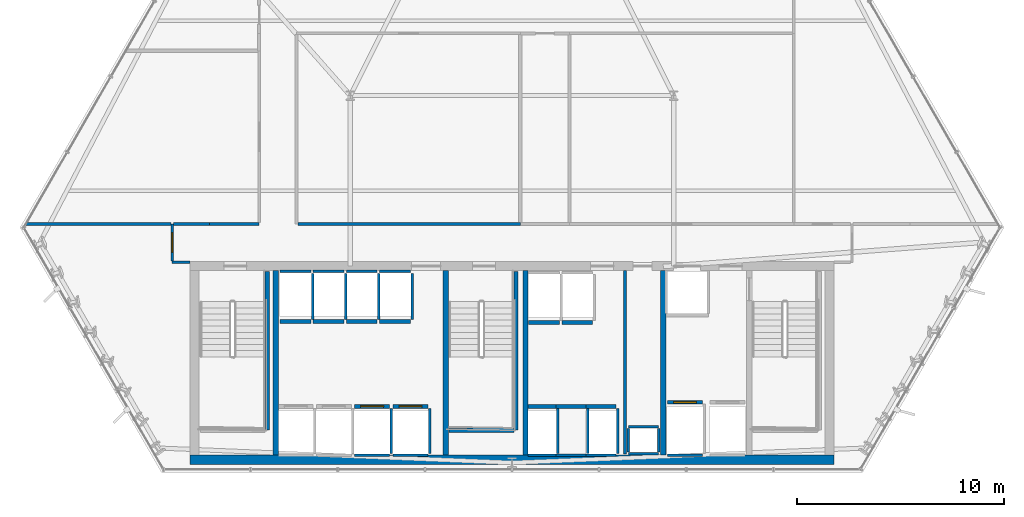
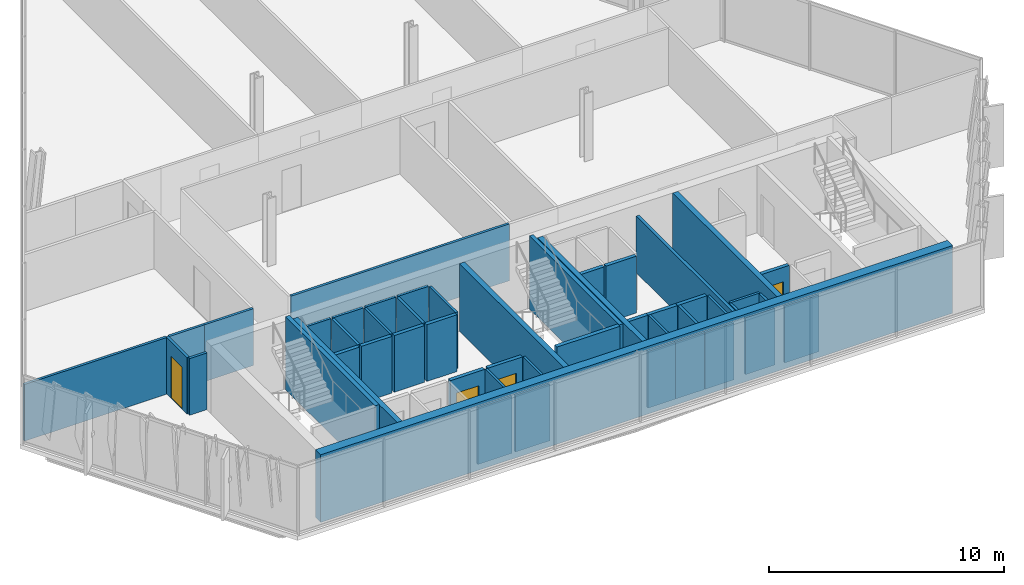
# One storey, part 25 of 31: 50 walls, 4 doors, 4 openings.
"""IFC4 building model written with IfcOpenShell, lengths in metres."""

import ifcopenshell
import ifcopenshell.guid

model = None  # the IFC model being written
_history = None  # IfcOwnerHistory: only IFC2X3 demands one
_inside = {}  # id of a spatial element -> (the spatial element, [elements in it])
_under = {}  # id of a project, library or spatial element -> (it, [spatial elements below it])
_declared = {}  # id of a project -> (the project, [libraries it declares])
_typed = {}  # id of a type object -> (the type object, [elements of that type])
_made_of = {}  # id of a material, layer set ... -> (it, [elements and type objects made of it])


def new_model(schema):
    """Start an empty IFC model of exactly this schema.

    Asked for "IFC4X3", IfcOpenShell would pick the latest addendum, in which some entities
    have other attributes; the version numbers below select the first issue.
    IFC2X3 requires an IfcOwnerHistory on every rooted entity: one is made here for all.
    """
    global model, _history
    if schema == "IFC4X3":
        model = ifcopenshell.file(schema_version=(4, 3, 0, 0))
    else:
        model = ifcopenshell.file(schema=schema)
    _inside.clear()
    _under.clear()
    _declared.clear()
    _typed.clear()
    _made_of.clear()
    _history = None
    if model.schema == "IFC2X3":
        org = make("IfcOrganization", Name="unknown")
        user = make(
            "IfcPersonAndOrganization",
            ThePerson=make("IfcPerson", FamilyName="unknown"),
            TheOrganization=org,
        )
        app = make(
            "IfcApplication",
            ApplicationDeveloper=org,
            Version="unknown",
            ApplicationFullName="unknown",
            ApplicationIdentifier="unknown",
        )
        _history = make(
            "IfcOwnerHistory",
            OwningUser=user,
            OwningApplication=app,
            ChangeAction="ADDED",
            CreationDate=0,
        )
    return model


def make(cls, **values):
    """One entity of the class cls with the attributes given. An attribute that is None is left unset."""
    return model.create_entity(
        cls, **{name: value for name, value in values.items() if value is not None}
    )


def rooted(cls, **values):
    """An entity with a GlobalId (a new one), such as an element, a storey or a relation."""
    return make(cls, GlobalId=ifcopenshell.guid.new(), OwnerHistory=_history, **values)


def si_unit(unit_type, name, prefix=None):
    """IfcSIUnit, for example si_unit("LENGTHUNIT", "METRE", prefix="MILLI")."""
    return make("IfcSIUnit", UnitType=unit_type, Prefix=prefix, Name=name)


def assignment(units):
    """IfcUnitAssignment: the units of a project."""
    return None if units is None else make("IfcUnitAssignment", Units=units)


def point(xyz):
    """IfcCartesianPoint."""
    return None if xyz is None else make("IfcCartesianPoint", Coordinates=xyz)


def direction(xyz):
    """IfcDirection."""
    return None if xyz is None else make("IfcDirection", DirectionRatios=xyz)


def frame(location, z_axis=None, x_axis=None):
    """IfcAxis2Placement3D, a coordinate frame: its origin and axes. An axis left out is left unset."""
    return make(
        "IfcAxis2Placement3D",
        Location=point(location),
        Axis=direction(z_axis),
        RefDirection=direction(x_axis),
    )


def frame_2d(location, x_axis=None):
    """IfcAxis2Placement2D, a coordinate frame in the plane: its origin and x axis."""
    return make(
        "IfcAxis2Placement2D", Location=point(location), RefDirection=direction(x_axis)
    )


def origin():
    """The frame at (0, 0, 0) with its axes left unset."""
    return frame((0.0, 0.0, 0.0))


def place(relative_to, where):
    """IfcLocalPlacement: puts the frame where relative to a parent placement (None: the world)."""
    return make(
        "IfcLocalPlacement", PlacementRelTo=relative_to, RelativePlacement=where
    )


def context(
    kind, dimensions, precision=None, world=None, true_north=None, identifier=None
):
    """IfcGeometricRepresentationContext, for example the 3D "Model" context."""
    return make(
        "IfcGeometricRepresentationContext",
        ContextIdentifier=identifier,
        ContextType=kind,
        CoordinateSpaceDimension=dimensions,
        Precision=precision,
        WorldCoordinateSystem=world,
        TrueNorth=true_north,
    )


def subcontext(parent, identifier, kind, view, scale=None):
    """IfcGeometricRepresentationSubContext, for example "Body" below "Model"."""
    return make(
        "IfcGeometricRepresentationSubContext",
        ContextIdentifier=identifier,
        ContextType=kind,
        ParentContext=parent,
        TargetScale=scale,
        TargetView=view,
    )


def project(units=None, contexts=None):
    """IfcProject with its units and contexts."""
    return rooted(
        "IfcProject",
        Name="project",
        RepresentationContexts=contexts,
        UnitsInContext=assignment(units),
    )


def spatial(cls, under=None, at=None, **own):
    """A site, building, storey or space (cls), placed at a placement, below another one or the project."""
    s = rooted(cls, ObjectPlacement=at, **own)
    if under is not None:
        _under.setdefault(under.id(), (under, []))[1].append(s)
    return s


def profile(cls, at=None, kind="AREA", **sizes):
    """A parametric profile (cls). Its sizes go by their IFC names, for example OverallWidth=200.0."""
    return make(cls, ProfileType=kind, Position=at, **sizes)


def rectangle(**sizes):
    """IfcRectangleProfileDef."""
    return profile("IfcRectangleProfileDef", **sizes)


def extrude(swept, where, along, depth):
    """IfcExtrudedAreaSolid: the profile swept, set in the frame where, extruded along a direction by depth."""
    return make(
        "IfcExtrudedAreaSolid",
        SweptArea=swept,
        Position=where,
        ExtrudedDirection=direction(along),
        Depth=depth,
    )


def shape(context_of_items, identifier, shape_type, items):
    """IfcShapeRepresentation: the items that make up one representation, for example the "Body"."""
    return make(
        "IfcShapeRepresentation",
        ContextOfItems=context_of_items,
        RepresentationIdentifier=identifier,
        RepresentationType=shape_type,
        Items=items,
    )


def material(Name=None, Category=None):
    """IfcMaterial."""
    return make("IfcMaterial", Name=Name, Category=Category)


def layer(
    of_material, thickness, ventilated=None, Name=None, Category=None, Priority=None
):
    """IfcMaterialLayer: one layer of a wall or slab, of a material (None: an air gap)."""
    return make(
        "IfcMaterialLayer",
        Material=of_material,
        LayerThickness=thickness,
        IsVentilated=ventilated,
        Name=Name,
        Category=Category,
        Priority=Priority,
    )


def layer_set(layers, Name=None):
    """IfcMaterialLayerSet."""
    return make("IfcMaterialLayerSet", MaterialLayers=layers, LayerSetName=Name)


def made_of(thing, what):
    """Note that an element or type object is made of a material, layer set ...; save() writes the relation."""
    if what is not None:
        _made_of.setdefault(what.id(), (what, []))[1].append(thing)
    return thing


def type_object(cls, material=None, **own):
    """A type object (cls), such as IfcWallType, which elements share."""
    return made_of(rooted(cls, **own), material)


def element(
    cls,
    number,
    at=None,
    inside=None,
    cuts=None,
    type_object=None,
    material=None,
    context=None,
    identifier="Body",
    shape_type=None,
    held_by="IfcProductDefinitionShape",
    body=None,
    shapes=None,
    **own,
):
    """One element of the class cls, such as IfcWall. Its Tag is "e" and its number.

    at: its placement. inside: the storey or other place that contains it. cuts: it is an
    opening in that element (IfcRelVoidsElement). A single representation is given by context,
    identifier, shape_type and body (its items); several are given by shapes. held_by: the class
    of the entity that holds the representations. save() writes the other relations.
    """
    e = rooted(cls, Tag="e%d" % number, ObjectPlacement=at, **own)
    if body is not None:
        shapes = [shape(context, identifier, shape_type, body)]
    if shapes is not None:
        e.Representation = make(held_by, Representations=shapes)
    if inside is not None:
        _inside.setdefault(inside.id(), (inside, []))[1].append(e)
    if cuts is not None:
        rooted(
            "IfcRelVoidsElement", RelatingBuildingElement=cuts, RelatedOpeningElement=e
        )
    if type_object is not None:
        _typed.setdefault(type_object.id(), (type_object, []))[1].append(e)
    return made_of(e, material)


def fill(opening, filler):
    """IfcRelFillsElement: the door or window that sits in an opening."""
    return rooted(
        "IfcRelFillsElement",
        RelatingOpeningElement=opening,
        RelatedBuildingElement=filler,
    )


def aggregate(whole, parts):
    """IfcRelAggregates: a whole, such as a stair, and the parts it consists of."""
    return rooted("IfcRelAggregates", RelatingObject=whole, RelatedObjects=parts)


def save(model, path):
    """Write the relations noted so far, then the file.

    IfcRelAggregates (storeys below a building ...), IfcRelContainedInSpatialStructure (elements
    in a storey), IfcRelDefinesByType, IfcRelAssociatesMaterial and IfcRelDeclares: one each for
    every whole, place, type object, material and project.
    """
    for whole, parts in _under.values():
        aggregate(whole, parts)
    for where, things in _inside.values():
        rooted(
            "IfcRelContainedInSpatialStructure",
            RelatedElements=things,
            RelatingStructure=where,
        )
    for kind, things in _typed.values():
        rooted("IfcRelDefinesByType", RelatedObjects=things, RelatingType=kind)
    for what, things in _made_of.values():
        rooted("IfcRelAssociatesMaterial", RelatedObjects=things, RelatingMaterial=what)
    for by, libraries in _declared.values():
        rooted("IfcRelDeclares", RelatingContext=by, RelatedDefinitions=libraries)
    model.write(path)


model = new_model("IFC4")

# Units and contexts
model_context = context("Model", 3, precision=1e-05, world=origin(), true_north=direction((0.0, 1.0)))
body_context = subcontext(model_context, "Body", "Model", "MODEL_VIEW")
ifc_project = project(units=[si_unit("LENGTHUNIT", "METRE"), si_unit("AREAUNIT", "SQUARE_METRE"), si_unit("VOLUMEUNIT", "CUBIC_METRE"), si_unit("PLANEANGLEUNIT", "RADIAN"), si_unit("MASSUNIT", "GRAM", prefix="KILO")], contexts=[model_context])

# Site, building, storey
site_placement = place(None, origin())
site = spatial("IfcSite", under=ifc_project, at=site_placement, CompositionType="ELEMENT")
building_placement = place(site_placement, origin())
building = spatial("IfcBuilding", under=site, at=building_placement, Name="Ndaravel Arena Tower", CompositionType="ELEMENT")
storey_placement = place(building_placement, frame((0.0, 0.0, 108.199951171875)))
storey = spatial("IfcBuildingStorey", under=building, at=storey_placement, Name="L25", CompositionType="ELEMENT", Elevation=108.199951171875)

# Walls
ifc_material_1 = material(Name="Gypsum", Category="gypsum")
ifc_layer_1 = layer(ifc_material_1, 0.14990234375)
ifc_layer_set_1 = layer_set([ifc_layer_1], Name="Gypsum")
wall_type_1 = type_object("IfcWallType", Name="WALL-COMP-150", PredefinedType="PARTITIONING", material=ifc_layer_set_1)
wall_1_placement = place(storey_placement, frame((47.449951171875, 5.89990234375, 0.0), z_axis=(0.0, 0.0, 1.0), x_axis=(0.0, 1.0, 0.0)))
element("IfcWall", 1, at=wall_1_placement, inside=storey, type_object=wall_type_1, Name="L25 Core Riser Bay Partition", PredefinedType="PARTITIONING", context=body_context, shape_type="SweptSolid", body=[
    extrude(rectangle(XDim=8.85009765625, YDim=0.14990234375, at=frame_2d((4.425048828125, 0.0))), origin(), (0.0, 0.0, 1.0), 2.950439453125),
])
ifc_material_2 = material(Name="Concrete C60/75", Category="concrete")
ifc_layer_2 = layer(ifc_material_2, 0.25)
ifc_layer_set_2 = layer_set([ifc_layer_2], Name="Concrete C60/75")
wall_type_2 = type_object("IfcWallType", Name="WALL-CORE-250", PredefinedType="SOLIDWALL", material=ifc_layer_set_2)
for number, where, z_axis, x_axis, name in (
    (2, (30.60009765625, 5.85009765625, 0.0), (0.0, 0.0, 1.0), (0.0, 1.0, 0.0), "L25 Core Web Shear Wall 1"),
    (3, (38.800048828125, 5.85009765625, 0.0), (0.0, 0.0, 1.0), (0.0, 1.0, 0.0), "L25 Core Web Shear Wall 2"),
    (4, (42.64990234375, 5.85009765625, 0.0), (0.0, 0.0, 1.0), (0.0, 1.0, 0.0), "L25 Core Web Shear Wall 3"),
    (5, (49.300048828125, 5.85009765625, 0.0), (0.0, 0.0, 1.0), (0.0, 1.0, 0.0), "L25 Core Web Shear Wall 4"),
):
    element("IfcWall", number, at=place(storey_placement, frame(where, z_axis=z_axis, x_axis=x_axis)), inside=storey, type_object=wall_type_2, Name=name, PredefinedType="SOLIDWALL", context=body_context, shape_type="SweptSolid", body=[
        extrude(rectangle(XDim=8.89990234375, YDim=0.25, at=frame_2d((4.449951171875, 0.0))), origin(), (0.0, 0.0, 1.0), 3.52001953125),
    ])
ifc_material_3 = material(Name="Concrete C60/75", Category="concrete")
ifc_layer_3 = layer(ifc_material_3, 0.449951171875)
ifc_layer_set_3 = layer_set([ifc_layer_3], Name="Concrete C60/75")
wall_type_3 = type_object("IfcWallType", Name="WALL-CORE-450", PredefinedType="SOLIDWALL", material=ifc_layer_set_3)
wall_2_placement = place(storey_placement, frame((26.449951171875, 5.625, 0.0), z_axis=(0.0, 0.0, 1.0), x_axis=(1.0, 0.0, 0.0)))
element("IfcWall", 6, at=wall_2_placement, inside=storey, type_object=wall_type_3, Name="L25 Core South Shear Wall", PredefinedType="SOLIDWALL", context=body_context, shape_type="SweptSolid", body=[
    extrude(rectangle(XDim=31.10009765625, YDim=0.449951171875, at=frame_2d((15.550048828125, 0.0))), origin(), (0.0, 0.0, 1.0), 3.52001953125),
])
ifc_material_4 = material(Name="Gypsum", Category="gypsum")
ifc_layer_4 = layer(ifc_material_4, 0.125)
ifc_layer_set_4 = layer_set([ifc_layer_4], Name="Gypsum")
wall_type_4 = type_object("IfcWallType", Name="WALL-PART-125", PredefinedType="PARTITIONING", material=ifc_layer_set_4)
wall_3_placement = place(storey_placement, frame((26.449951171875, 15.14990234375, 0.0), z_axis=(0.0, 0.0, 1.0), x_axis=(-1.0, 0.0, 0.0)))
element("IfcWall", 7, at=wall_3_placement, inside=storey, type_object=wall_type_4, Name="L25 Interior Partition 003", PredefinedType="PARTITIONING", context=body_context, shape_type="SweptSolid", body=[
    extrude(rectangle(XDim=0.849853515625, YDim=0.125, at=frame_2d((0.4248046875, 0.0))), origin(), (0.0, 0.0, 1.0), 2.950439453125),
])

# Wall, opening, door
wall_4_placement = place(storey_placement, frame((25.60009765625, 15.215087890625, 0.0), z_axis=(0.0, 0.0, 1.0), x_axis=(0.0, 1.0, 0.0)))
wall_4 = element("IfcWall", 8, at=wall_4_placement, inside=storey, type_object=wall_type_4, Name="L25 Interior Partition 004", PredefinedType="PARTITIONING", context=body_context, shape_type="SweptSolid", body=[
    extrude(rectangle(XDim=1.784912109375, YDim=0.125, at=frame_2d((0.892578125, 0.0))), origin(), (0.0, 0.0, 1.0), 2.950439453125),
])
opening_1_placement = place(wall_4_placement, frame((0.41748046875, 0.0, 0.0)))
opening_1 = element("IfcOpeningElement", 9, at=opening_1_placement, cuts=wall_4, Name="Opening ID-01", PredefinedType="OPENING", context=body_context, shape_type="SweptSolid", body=[
    extrude(rectangle(XDim=0.949951171875, YDim=2.199951171875, at=frame_2d((0.47509765625, 1.10009765625))), frame((0.0, 0.0625, 0.0), z_axis=(0.0, -1.0, 0.0), x_axis=(1.0, 0.0, 0.0)), (0.0, 0.0, 1.0), 0.125),
])
ifc_material_5 = material(Name="Timber", Category="wood")
door_type_1 = type_object("IfcDoorType", Name="DT-03-OFFICE-950", OperationType="SINGLE_SWING_LEFT", PredefinedType="DOOR", material=ifc_material_5)
door_1_placement = place(opening_1_placement, origin())
door_1 = element("IfcDoor", 10, at=door_1_placement, inside=storey, type_object=door_type_1, Name="L25 Open Plan Workplace Door", OperationType="SINGLE_SWING_RIGHT", OverallHeight=2.199951171875, OverallWidth=0.949951171875, PredefinedType="DOOR", context=body_context, shape_type="SweptSolid", body=[
    extrude(rectangle(XDim=0.949951171875, YDim=2.199951171875, at=frame_2d((0.47509765625, 1.10009765625))), frame((0.0, 0.02490234375, 0.0), z_axis=(0.0, -1.0, 0.0), x_axis=(1.0, 0.0, 0.0)), (0.0, 0.0, 1.0), 0.050048828125),
])
fill(opening_1, door_1)

# Walls
wall_5_placement = place(storey_placement, frame((25.6650390625, 17.0, 0.0), z_axis=(0.0, 0.0, 1.0), x_axis=(1.0, 0.0, 0.0)))
element("IfcWall", 11, at=wall_5_placement, inside=storey, type_object=wall_type_4, Name="L25 Interior Partition 005", PredefinedType="PARTITIONING", context=body_context, shape_type="SweptSolid", body=[
    extrude(rectangle(XDim=1.73486328125, YDim=0.125, at=frame_2d((0.867431640625, 0.0))), origin(), (0.0, 0.0, 1.0), 2.950439453125),
])
wall_6_placement = place(storey_placement, frame((27.39990234375, 17.0, 0.0), z_axis=(0.0, 0.0, 1.0), x_axis=(1.0, 0.0, 0.0)))
element("IfcWall", 12, at=wall_6_placement, inside=storey, type_object=wall_type_4, Name="L25 Interior Partition 006", PredefinedType="PARTITIONING", context=body_context, shape_type="SweptSolid", body=[
    extrude(rectangle(XDim=2.400146484375, YDim=0.125, at=frame_2d((1.2001953125, 0.0))), origin(), (0.0, 0.0, 1.0), 2.950439453125),
])
wall_7_placement = place(storey_placement, frame((31.6650390625, 17.0, 0.0), z_axis=(0.0, 0.0, 1.0), x_axis=(1.0, 0.0, 0.0)))
element("IfcWall", 13, at=wall_7_placement, inside=storey, type_object=wall_type_4, Name="L25 Interior Partition 020", PredefinedType="PARTITIONING", context=body_context, shape_type="SweptSolid", body=[
    extrude(rectangle(XDim=10.73486328125, YDim=0.125, at=frame_2d((5.367431640625, 0.0))), origin(), (0.0, 0.0, 1.0), 2.950439453125),
])
wall_8_placement = place(storey_placement, frame((18.539306640625, 17.0, 0.0), z_axis=(0.0, 0.0, 1.0), x_axis=(1.0, 0.0, 0.0)))
element("IfcWall", 14, at=wall_8_placement, inside=storey, type_object=wall_type_4, Name="L25 Interior Partition 024", PredefinedType="PARTITIONING", context=body_context, shape_type="SweptSolid", body=[
    extrude(rectangle(XDim=6.99560546875, YDim=0.125, at=frame_2d((3.497802734375, 0.0))), origin(), (0.0, 0.0, 1.0), 2.950439453125),
])
ifc_material_6 = material(Name="Concrete C40/50", Category="concrete")
ifc_layer_5 = layer(ifc_material_6, 0.1201171875)
ifc_layer_set_5 = layer_set([ifc_layer_5], Name="Concrete C40/50")
wall_type_5 = type_object("IfcWallType", Name="WALL-SHAFT-120", PredefinedType="SOLIDWALL", material=ifc_layer_set_5)
for number, where, z_axis, x_axis, name in (
    (15, (47.6201171875, 5.919921875, 0.0), (0.0, 0.0, 1.0), (1.0, 0.0, 0.0), "L25 MEP Riser Shaft S Wall"),
    (16, (47.6201171875, 7.219970703125, 0.0), (0.0, 0.0, 1.0), (1.0, 0.0, 0.0), "L25 MEP Riser Shaft N Wall"),
):
    element("IfcWall", number, at=place(storey_placement, frame(where, z_axis=z_axis, x_axis=x_axis)), inside=storey, type_object=wall_type_5, Name=name, PredefinedType="SOLIDWALL", context=body_context, shape_type="SweptSolid", body=[
        extrude(rectangle(XDim=1.4599609375, YDim=0.1201171875, at=frame_2d((0.72998046875, 0.0))), origin(), (0.0, 0.0, 1.0), 2.950439453125),
    ])
for number, where, z_axis, x_axis, name in (
    (17, (47.6201171875, 6.0, 0.0), (0.0, 0.0, 1.0), (0.0, 1.0, 0.0), "L25 MEP Riser Shaft W Wall"),
    (18, (49.080078125, 6.0, 0.0), (0.0, 0.0, 1.0), (0.0, 1.0, 0.0), "L25 MEP Riser Shaft E Wall"),
):
    element("IfcWall", number, at=place(storey_placement, frame(where, z_axis=z_axis, x_axis=x_axis)), inside=storey, type_object=wall_type_5, Name=name, PredefinedType="SOLIDWALL", context=body_context, shape_type="SweptSolid", body=[
        extrude(rectangle(XDim=1.139892578125, YDim=0.1201171875, at=frame_2d((0.56982421875, 0.0))), origin(), (0.0, 0.0, 1.0), 2.950439453125),
    ])
wall_9_placement = place(storey_placement, frame((34.405029296875, 5.840087890625, 0.0), z_axis=(0.0, 0.0, 1.0), x_axis=(1.0, 0.0, 0.0)))
element("IfcWall", 19, at=wall_9_placement, inside=storey, type_object=wall_type_5, Name="L25 PL-L3 Shaft Rear Wall", PredefinedType="SOLIDWALL", context=body_context, shape_type="SweptSolid", body=[
    extrude(rectangle(XDim=1.68994140625, YDim=0.1201171875, at=frame_2d((0.844970703125, 0.0))), origin(), (0.0, 0.0, 1.0), 2.950439453125),
])
wall_10_placement = place(storey_placement, frame((36.175048828125, 5.929931640625, 0.0), z_axis=(0.0, 0.0, 1.0), x_axis=(0.0, 1.0, 0.0)))
element("IfcWall", 20, at=wall_10_placement, inside=storey, type_object=wall_type_5, Name="L25 PL-L3 Shaft Side R Wall", PredefinedType="SOLIDWALL", context=body_context, shape_type="SweptSolid", body=[
    extrude(rectangle(XDim=2.18017578125, YDim=0.1201171875, at=frame_2d((1.090087890625, 0.0))), origin(), (0.0, 0.0, 1.0), 2.950439453125),
])
wall_11_placement = place(storey_placement, frame((36.2548828125, 5.840087890625, 0.0), z_axis=(0.0, 0.0, 1.0), x_axis=(1.0, 0.0, 0.0)))
element("IfcWall", 21, at=wall_11_placement, inside=storey, type_object=wall_type_5, Name="L25 PL-L4 Shaft Rear Wall", PredefinedType="SOLIDWALL", context=body_context, shape_type="SweptSolid", body=[
    extrude(rectangle(XDim=1.690185546875, YDim=0.1201171875, at=frame_2d((0.84521484375, 0.0))), origin(), (0.0, 0.0, 1.0), 2.950439453125),
])
wall_12_placement = place(storey_placement, frame((38.02490234375, 5.929931640625, 0.0), z_axis=(0.0, 0.0, 1.0), x_axis=(0.0, 1.0, 0.0)))
element("IfcWall", 22, at=wall_12_placement, inside=storey, type_object=wall_type_5, Name="L25 PL-L4 Shaft Side R Wall", PredefinedType="SOLIDWALL", context=body_context, shape_type="SweptSolid", body=[
    extrude(rectangle(XDim=2.18017578125, YDim=0.1201171875, at=frame_2d((1.090087890625, 0.0))), origin(), (0.0, 0.0, 1.0), 2.950439453125),
])
wall_13_placement = place(storey_placement, frame((30.804931640625, 14.7099609375, 0.0), z_axis=(0.0, 0.0, 1.0), x_axis=(1.0, 0.0, 0.0)))
element("IfcWall", 23, at=wall_13_placement, inside=storey, type_object=wall_type_5, Name="L25 PL-M1 Shaft Rear Wall", PredefinedType="SOLIDWALL", context=body_context, shape_type="SweptSolid", body=[
    extrude(rectangle(XDim=1.489990234375, YDim=0.1201171875, at=frame_2d((0.7451171875, 0.0))), origin(), (0.0, 0.0, 1.0), 2.950439453125),
])
wall_14_placement = place(storey_placement, frame((32.375, 12.389892578125, 0.0), z_axis=(0.0, 0.0, 1.0), x_axis=(0.0, 1.0, 0.0)))
element("IfcWall", 24, at=wall_14_placement, inside=storey, type_object=wall_type_5, Name="L25 PL-M1 Shaft Side R Wall", PredefinedType="SOLIDWALL", context=body_context, shape_type="SweptSolid", body=[
    extrude(rectangle(XDim=2.230224609375, YDim=0.1201171875, at=frame_2d((1.115234375, 0.0))), origin(), (0.0, 0.0, 1.0), 2.950439453125),
])
wall_15_placement = place(storey_placement, frame((32.405029296875, 14.7099609375, 0.0), z_axis=(0.0, 0.0, 1.0), x_axis=(1.0, 0.0, 0.0)))
element("IfcWall", 25, at=wall_15_placement, inside=storey, type_object=wall_type_5, Name="L25 PL-M2 Shaft Rear Wall", PredefinedType="SOLIDWALL", context=body_context, shape_type="SweptSolid", body=[
    extrude(rectangle(XDim=1.489990234375, YDim=0.1201171875, at=frame_2d((0.7451171875, 0.0))), origin(), (0.0, 0.0, 1.0), 2.950439453125),
])
wall_16_placement = place(storey_placement, frame((33.97509765625, 12.389892578125, 0.0), z_axis=(0.0, 0.0, 1.0), x_axis=(0.0, 1.0, 0.0)))
element("IfcWall", 26, at=wall_16_placement, inside=storey, type_object=wall_type_5, Name="L25 PL-M2 Shaft Side R Wall", PredefinedType="SOLIDWALL", context=body_context, shape_type="SweptSolid", body=[
    extrude(rectangle(XDim=2.230224609375, YDim=0.1201171875, at=frame_2d((1.115234375, 0.0))), origin(), (0.0, 0.0, 1.0), 2.950439453125),
])
wall_17_placement = place(storey_placement, frame((34.0048828125, 14.7099609375, 0.0), z_axis=(0.0, 0.0, 1.0), x_axis=(1.0, 0.0, 0.0)))
element("IfcWall", 27, at=wall_17_placement, inside=storey, type_object=wall_type_5, Name="L25 PL-M3 Shaft Rear Wall", PredefinedType="SOLIDWALL", context=body_context, shape_type="SweptSolid", body=[
    extrude(rectangle(XDim=1.490234375, YDim=0.1201171875, at=frame_2d((0.7451171875, 0.0))), origin(), (0.0, 0.0, 1.0), 2.950439453125),
])
wall_18_placement = place(storey_placement, frame((35.574951171875, 12.389892578125, 0.0), z_axis=(0.0, 0.0, 1.0), x_axis=(0.0, 1.0, 0.0)))
element("IfcWall", 28, at=wall_18_placement, inside=storey, type_object=wall_type_5, Name="L25 PL-M3 Shaft Side R Wall", PredefinedType="SOLIDWALL", context=body_context, shape_type="SweptSolid", body=[
    extrude(rectangle(XDim=2.230224609375, YDim=0.1201171875, at=frame_2d((1.115234375, 0.0))), origin(), (0.0, 0.0, 1.0), 2.950439453125),
])
wall_19_placement = place(storey_placement, frame((35.60498046875, 14.7099609375, 0.0), z_axis=(0.0, 0.0, 1.0), x_axis=(1.0, 0.0, 0.0)))
element("IfcWall", 29, at=wall_19_placement, inside=storey, type_object=wall_type_5, Name="L25 PL-M4 Shaft Rear Wall", PredefinedType="SOLIDWALL", context=body_context, shape_type="SweptSolid", body=[
    extrude(rectangle(XDim=1.489990234375, YDim=0.1201171875, at=frame_2d((0.7451171875, 0.0))), origin(), (0.0, 0.0, 1.0), 2.950439453125),
])
wall_20_placement = place(storey_placement, frame((37.175048828125, 12.389892578125, 0.0), z_axis=(0.0, 0.0, 1.0), x_axis=(0.0, 1.0, 0.0)))
element("IfcWall", 30, at=wall_20_placement, inside=storey, type_object=wall_type_5, Name="L25 PL-M4 Shaft Side R Wall", PredefinedType="SOLIDWALL", context=body_context, shape_type="SweptSolid", body=[
    extrude(rectangle(XDim=2.230224609375, YDim=0.1201171875, at=frame_2d((1.115234375, 0.0))), origin(), (0.0, 0.0, 1.0), 2.950439453125),
])
wall_21_placement = place(storey_placement, frame((42.780029296875, 5.840087890625, 0.0), z_axis=(0.0, 0.0, 1.0), x_axis=(1.0, 0.0, 0.0)))
element("IfcWall", 31, at=wall_21_placement, inside=storey, type_object=wall_type_5, Name="L25 PL-H1 Shaft Rear Wall", PredefinedType="SOLIDWALL", context=body_context, shape_type="SweptSolid", body=[
    extrude(rectangle(XDim=1.340087890625, YDim=0.1201171875, at=frame_2d((0.669921875, 0.0))), origin(), (0.0, 0.0, 1.0), 2.950439453125),
])
wall_22_placement = place(storey_placement, frame((44.199951171875, 5.929931640625, 0.0), z_axis=(0.0, 0.0, 1.0), x_axis=(0.0, 1.0, 0.0)))
element("IfcWall", 32, at=wall_22_placement, inside=storey, type_object=wall_type_5, Name="L25 PL-H1 Shaft Side R Wall", PredefinedType="SOLIDWALL", context=body_context, shape_type="SweptSolid", body=[
    extrude(rectangle(XDim=2.18017578125, YDim=0.1201171875, at=frame_2d((1.090087890625, 0.0))), origin(), (0.0, 0.0, 1.0), 2.950439453125),
])
wall_23_placement = place(storey_placement, frame((44.1298828125, 5.840087890625, 0.0), z_axis=(0.0, 0.0, 1.0), x_axis=(1.0, 0.0, 0.0)))
element("IfcWall", 33, at=wall_23_placement, inside=storey, type_object=wall_type_5, Name="L25 PL-H2 Shaft Rear Wall", PredefinedType="SOLIDWALL", context=body_context, shape_type="SweptSolid", body=[
    extrude(rectangle(XDim=1.440185546875, YDim=0.1201171875, at=frame_2d((0.72021484375, 0.0))), origin(), (0.0, 0.0, 1.0), 2.950439453125),
])
wall_24_placement = place(storey_placement, frame((45.64990234375, 5.929931640625, 0.0), z_axis=(0.0, 0.0, 1.0), x_axis=(0.0, 1.0, 0.0)))
element("IfcWall", 34, at=wall_24_placement, inside=storey, type_object=wall_type_5, Name="L25 PL-H2 Shaft Side R Wall", PredefinedType="SOLIDWALL", context=body_context, shape_type="SweptSolid", body=[
    extrude(rectangle(XDim=2.18017578125, YDim=0.1201171875, at=frame_2d((1.090087890625, 0.0))), origin(), (0.0, 0.0, 1.0), 2.950439453125),
])
wall_25_placement = place(storey_placement, frame((45.580078125, 5.840087890625, 0.0), z_axis=(0.0, 0.0, 1.0), x_axis=(1.0, 0.0, 0.0)))
element("IfcWall", 35, at=wall_25_placement, inside=storey, type_object=wall_type_5, Name="L25 PL-H3 Shaft Rear Wall", PredefinedType="SOLIDWALL", context=body_context, shape_type="SweptSolid", body=[
    extrude(rectangle(XDim=1.43994140625, YDim=0.1201171875, at=frame_2d((0.719970703125, 0.0))), origin(), (0.0, 0.0, 1.0), 2.950439453125),
])
wall_26_placement = place(storey_placement, frame((47.10009765625, 5.929931640625, 0.0), z_axis=(0.0, 0.0, 1.0), x_axis=(0.0, 1.0, 0.0)))
element("IfcWall", 36, at=wall_26_placement, inside=storey, type_object=wall_type_5, Name="L25 PL-H3 Shaft Side R Wall", PredefinedType="SOLIDWALL", context=body_context, shape_type="SweptSolid", body=[
    extrude(rectangle(XDim=2.18017578125, YDim=0.1201171875, at=frame_2d((1.090087890625, 0.0))), origin(), (0.0, 0.0, 1.0), 2.950439453125),
])
wall_27_placement = place(storey_placement, frame((49.5048828125, 5.840087890625, 0.0), z_axis=(0.0, 0.0, 1.0), x_axis=(1.0, 0.0, 0.0)))
element("IfcWall", 37, at=wall_27_placement, inside=storey, type_object=wall_type_5, Name="L25 FFL-1 Shaft Rear Wall", PredefinedType="SOLIDWALL", context=body_context, shape_type="SweptSolid", body=[
    extrude(rectangle(XDim=1.690185546875, YDim=0.1201171875, at=frame_2d((0.84521484375, 0.0))), origin(), (0.0, 0.0, 1.0), 2.950439453125),
])
ifc_material_7 = material(Name="Concrete C40/50", Category="concrete")
ifc_layer_6 = layer(ifc_material_7, 0.199951171875)
ifc_layer_set_6 = layer_set([ifc_layer_6], Name="Concrete C40/50")
wall_type_6 = type_object("IfcWallType", Name="WALL-SHAFT-200", PredefinedType="SOLIDWALL", material=ifc_layer_set_6)
for number, where, z_axis, x_axis, name in (
    (38, (30.18994140625, 14.699951171875, 0.0), (0.0, 0.0, 1.0), (0.0, -1.0, 0.0), "L25 ST-1 Structural Shaft Wall Right"),
    (39, (42.18994140625, 14.699951171875, 0.0), (0.0, 0.0, 1.0), (0.0, -1.0, 0.0), "L25 ST-2 Structural Shaft Wall Right"),
):
    element("IfcWall", number, at=place(storey_placement, frame(where, z_axis=z_axis, x_axis=x_axis)), inside=storey, type_object=wall_type_6, Name=name, PredefinedType="SOLIDWALL", context=body_context, shape_type="SweptSolid", body=[
        extrude(rectangle(XDim=7.64990234375, YDim=0.199951171875, at=frame_2d((3.824951171875, 0.0))), origin(), (0.0, 0.0, 1.0), 3.800048828125),
    ])
wall_28_placement = place(storey_placement, frame((38.969970703125, 7.050048828125, 0.0), z_axis=(0.0, 0.0, 1.0), x_axis=(1.0, 0.0, 0.0)))
element("IfcWall", 40, at=wall_28_placement, inside=storey, type_object=wall_type_6, Name="L25 ST-2 Structural Shaft Wall Far", PredefinedType="SOLIDWALL", context=body_context, shape_type="SweptSolid", body=[
    extrude(rectangle(XDim=3.114990234375, YDim=0.199951171875, at=frame_2d((1.5576171875, 0.0))), origin(), (0.0, 0.0, 1.0), 3.800048828125),
])

# Wall, opening, door
wall_29_placement = place(storey_placement, frame((34.405029296875, 8.199951171875, 0.0), z_axis=(0.0, 0.0, 1.0), x_axis=(1.0, 0.0, 0.0)))
wall_29 = element("IfcWall", 41, at=wall_29_placement, inside=storey, type_object=wall_type_6, Name="L25 PL-L3 Shaft Landing Wall", PredefinedType="SOLIDWALL", context=body_context, shape_type="SweptSolid", body=[
    extrude(rectangle(XDim=1.68994140625, YDim=0.179931640625, at=frame_2d((0.844970703125, 0.0))), origin(), (0.0, 0.0, 1.0), 2.950439453125),
])
opening_2_placement = place(wall_29_placement, frame((0.294921875, 0.0, 0.0)))
opening_2 = element("IfcOpeningElement", 42, at=opening_2_placement, cuts=wall_29, Name="Opening LD-01", PredefinedType="OPENING", context=body_context, shape_type="SweptSolid", body=[
    extrude(rectangle(XDim=1.10009765625, YDim=2.199951171875, at=frame_2d((0.550048828125, 1.10009765625))), frame((0.0, 0.08984375, 0.0), z_axis=(0.0, -1.0, 0.0), x_axis=(1.0, 0.0, 0.0)), (0.0, 0.0, 1.0), 0.179931640625),
])
ifc_material_8 = material(Name="Steel S355", Category="steel")
door_type_2 = type_object("IfcDoorType", Name="DT-06-LIFT-1100", OperationType="SLIDING_TO_LEFT", PredefinedType="DOOR", material=ifc_material_8)
door_2_placement = place(opening_2_placement, origin())
door_2 = element("IfcDoor", 43, at=door_2_placement, inside=storey, type_object=door_type_2, Name="L25 Lift PL-L3 Sliding Landing Door", OperationType="SLIDING_TO_LEFT", OverallHeight=2.199951171875, OverallWidth=1.10009765625, PredefinedType="DOOR", context=body_context, shape_type="SweptSolid", body=[
    extrude(rectangle(XDim=1.10009765625, YDim=2.199951171875, at=frame_2d((0.550048828125, 1.10009765625))), frame((0.0, 0.02490234375, 0.0), z_axis=(0.0, -1.0, 0.0), x_axis=(1.0, 0.0, 0.0)), (0.0, 0.0, 1.0), 0.050048828125),
])
fill(opening_2, door_2)

wall_30_placement = place(storey_placement, frame((36.2548828125, 8.199951171875, 0.0), z_axis=(0.0, 0.0, 1.0), x_axis=(1.0, 0.0, 0.0)))
wall_30 = element("IfcWall", 44, at=wall_30_placement, inside=storey, type_object=wall_type_6, Name="L25 PL-L4 Shaft Landing Wall", PredefinedType="SOLIDWALL", context=body_context, shape_type="SweptSolid", body=[
    extrude(rectangle(XDim=1.690185546875, YDim=0.179931640625, at=frame_2d((0.84521484375, 0.0))), origin(), (0.0, 0.0, 1.0), 2.950439453125),
])
opening_3_placement = place(wall_30_placement, frame((0.294921875, 0.0, 0.0)))
opening_3 = element("IfcOpeningElement", 45, at=opening_3_placement, cuts=wall_30, Name="Opening LD-01", PredefinedType="OPENING", context=body_context, shape_type="SweptSolid", body=[
    extrude(rectangle(XDim=1.10009765625, YDim=2.199951171875, at=frame_2d((0.550048828125, 1.10009765625))), frame((0.0, 0.08984375, 0.0), z_axis=(0.0, -1.0, 0.0), x_axis=(1.0, 0.0, 0.0)), (0.0, 0.0, 1.0), 0.179931640625),
])
door_3_placement = place(opening_3_placement, origin())
door_3 = element("IfcDoor", 46, at=door_3_placement, inside=storey, type_object=door_type_2, Name="L25 Lift PL-L4 Sliding Landing Door", OperationType="SLIDING_TO_LEFT", OverallHeight=2.199951171875, OverallWidth=1.10009765625, PredefinedType="DOOR", context=body_context, shape_type="SweptSolid", body=[
    extrude(rectangle(XDim=1.10009765625, YDim=2.199951171875, at=frame_2d((0.550048828125, 1.10009765625))), frame((0.0, 0.02490234375, 0.0), z_axis=(0.0, -1.0, 0.0), x_axis=(1.0, 0.0, 0.0)), (0.0, 0.0, 1.0), 0.050048828125),
])
fill(opening_3, door_3)

# Walls
for number, where, z_axis, x_axis, name in (
    (47, (30.804931640625, 12.300048828125, 0.0), (0.0, 0.0, 1.0), (1.0, 0.0, 0.0), "L25 PL-M1 Shaft Landing Wall"),
    (48, (32.405029296875, 12.300048828125, 0.0), (0.0, 0.0, 1.0), (1.0, 0.0, 0.0), "L25 PL-M2 Shaft Landing Wall"),
):
    element("IfcWall", number, at=place(storey_placement, frame(where, z_axis=z_axis, x_axis=x_axis)), inside=storey, type_object=wall_type_6, Name=name, PredefinedType="SOLIDWALL", context=body_context, shape_type="SweptSolid", body=[
        extrude(rectangle(XDim=1.489990234375, YDim=0.179931640625, at=frame_2d((0.7451171875, 0.0))), origin(), (0.0, 0.0, 1.0), 2.950439453125),
    ])
wall_31_placement = place(storey_placement, frame((34.0048828125, 12.300048828125, 0.0), z_axis=(0.0, 0.0, 1.0), x_axis=(1.0, 0.0, 0.0)))
element("IfcWall", 49, at=wall_31_placement, inside=storey, type_object=wall_type_6, Name="L25 PL-M3 Shaft Landing Wall", PredefinedType="SOLIDWALL", context=body_context, shape_type="SweptSolid", body=[
    extrude(rectangle(XDim=1.490234375, YDim=0.179931640625, at=frame_2d((0.7451171875, 0.0))), origin(), (0.0, 0.0, 1.0), 2.950439453125),
])
wall_32_placement = place(storey_placement, frame((35.60498046875, 12.300048828125, 0.0), z_axis=(0.0, 0.0, 1.0), x_axis=(1.0, 0.0, 0.0)))
element("IfcWall", 50, at=wall_32_placement, inside=storey, type_object=wall_type_6, Name="L25 PL-M4 Shaft Landing Wall", PredefinedType="SOLIDWALL", context=body_context, shape_type="SweptSolid", body=[
    extrude(rectangle(XDim=1.489990234375, YDim=0.179931640625, at=frame_2d((0.7451171875, 0.0))), origin(), (0.0, 0.0, 1.0), 2.950439453125),
])
wall_33_placement = place(storey_placement, frame((42.780029296875, 8.199951171875, 0.0), z_axis=(0.0, 0.0, 1.0), x_axis=(1.0, 0.0, 0.0)))
element("IfcWall", 51, at=wall_33_placement, inside=storey, type_object=wall_type_6, Name="L25 PL-H1 Shaft Landing Wall", PredefinedType="SOLIDWALL", context=body_context, shape_type="SweptSolid", body=[
    extrude(rectangle(XDim=1.340087890625, YDim=0.179931640625, at=frame_2d((0.669921875, 0.0))), origin(), (0.0, 0.0, 1.0), 2.950439453125),
])
wall_34_placement = place(storey_placement, frame((44.1298828125, 8.199951171875, 0.0), z_axis=(0.0, 0.0, 1.0), x_axis=(1.0, 0.0, 0.0)))
element("IfcWall", 52, at=wall_34_placement, inside=storey, type_object=wall_type_6, Name="L25 PL-H2 Shaft Landing Wall", PredefinedType="SOLIDWALL", context=body_context, shape_type="SweptSolid", body=[
    extrude(rectangle(XDim=1.440185546875, YDim=0.179931640625, at=frame_2d((0.72021484375, 0.0))), origin(), (0.0, 0.0, 1.0), 2.950439453125),
])
wall_35_placement = place(storey_placement, frame((45.580078125, 8.199951171875, 0.0), z_axis=(0.0, 0.0, 1.0), x_axis=(1.0, 0.0, 0.0)))
element("IfcWall", 53, at=wall_35_placement, inside=storey, type_object=wall_type_6, Name="L25 PL-H3 Shaft Landing Wall", PredefinedType="SOLIDWALL", context=body_context, shape_type="SweptSolid", body=[
    extrude(rectangle(XDim=1.43994140625, YDim=0.179931640625, at=frame_2d((0.719970703125, 0.0))), origin(), (0.0, 0.0, 1.0), 2.950439453125),
])
for number, where, z_axis, x_axis, name in (
    (54, (42.804931640625, 12.25, 0.0), (0.0, 0.0, 1.0), (1.0, 0.0, 0.0), "L25 PL-OBS1 Shaft Landing Wall"),
    (55, (44.405029296875, 12.25, 0.0), (0.0, 0.0, 1.0), (1.0, 0.0, 0.0), "L25 PL-OBS2 Shaft Landing Wall"),
):
    element("IfcWall", number, at=place(storey_placement, frame(where, z_axis=z_axis, x_axis=x_axis)), inside=storey, type_object=wall_type_6, Name=name, PredefinedType="SOLIDWALL", context=body_context, shape_type="SweptSolid", body=[
        extrude(rectangle(XDim=1.489990234375, YDim=0.179931640625, at=frame_2d((0.7451171875, 0.0))), origin(), (0.0, 0.0, 1.0), 2.950439453125),
    ])

# Wall, opening, door
wall_36_placement = place(storey_placement, frame((49.5048828125, 8.39990234375, 0.0), z_axis=(0.0, 0.0, 1.0), x_axis=(1.0, 0.0, 0.0)))
wall_36 = element("IfcWall", 56, at=wall_36_placement, inside=storey, type_object=wall_type_6, Name="L25 FFL-1 Shaft Landing Wall", PredefinedType="SOLIDWALL", context=body_context, shape_type="SweptSolid", body=[
    extrude(rectangle(XDim=1.690185546875, YDim=0.179931640625, at=frame_2d((0.84521484375, 0.0))), origin(), (0.0, 0.0, 1.0), 2.950439453125),
])
opening_4_placement = place(wall_36_placement, frame((0.294921875, 0.0, 0.0)))
opening_4 = element("IfcOpeningElement", 57, at=opening_4_placement, cuts=wall_36, Name="Opening LD-01", PredefinedType="OPENING", context=body_context, shape_type="SweptSolid", body=[
    extrude(rectangle(XDim=1.10009765625, YDim=2.199951171875, at=frame_2d((0.550048828125, 1.10009765625))), frame((0.0, 0.08984375, 0.0), z_axis=(0.0, -1.0, 0.0), x_axis=(1.0, 0.0, 0.0)), (0.0, 0.0, 1.0), 0.179931640625),
])
door_4_placement = place(opening_4_placement, origin())
door_4 = element("IfcDoor", 58, at=door_4_placement, inside=storey, type_object=door_type_2, Name="L25 Lift FFL-1 Sliding Landing Door", OperationType="SLIDING_TO_LEFT", OverallHeight=2.199951171875, OverallWidth=1.10009765625, PredefinedType="DOOR", context=body_context, shape_type="SweptSolid", body=[
    extrude(rectangle(XDim=1.10009765625, YDim=2.199951171875, at=frame_2d((0.550048828125, 1.10009765625))), frame((0.0, 0.02490234375, 0.0), z_axis=(0.0, -1.0, 0.0), x_axis=(1.0, 0.0, 0.0)), (0.0, 0.0, 1.0), 0.050048828125),
])
fill(opening_4, door_4)

save(model, "model.ifc")
